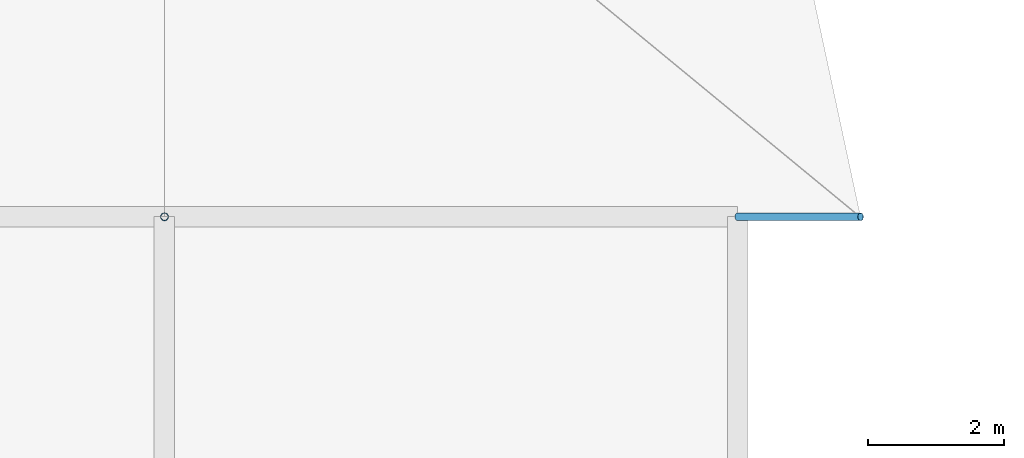
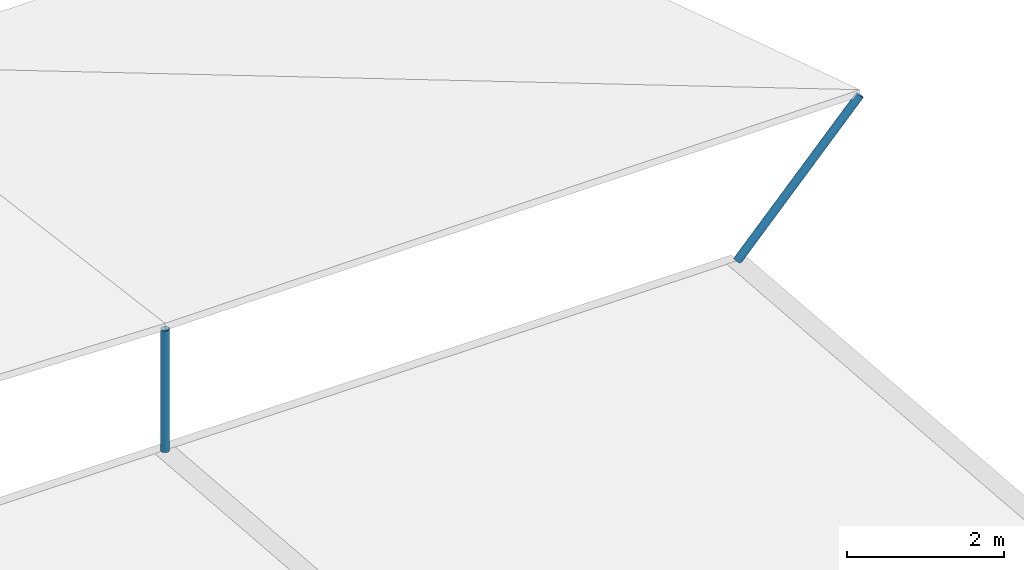
# One storey, part 35 of 37: 2 discrete accessories.
"""IFC4 building model written with IfcOpenShell, lengths in metres."""

from ifc_helpers import new_model, si_unit, direction, frame, origin, origin_2d, place, context, subcontext, project, spatial, hollow_circle, extrude, material, material_profile, profile_set, type_object, element, save


model = new_model("IFC4")

# Units and contexts
model_context = context("Model", 3, precision=1e-05, world=origin(), true_north=direction((0.0, 1.0)))
body_context = subcontext(model_context, "Body", "Model", "MODEL_VIEW")
ifc_project = project(units=[si_unit("LENGTHUNIT", "METRE"), si_unit("AREAUNIT", "SQUARE_METRE"), si_unit("VOLUMEUNIT", "CUBIC_METRE"), si_unit("PLANEANGLEUNIT", "RADIAN"), si_unit("MASSUNIT", "GRAM", prefix="KILO")], contexts=[model_context])

# Site, building, storey
site_placement = place(None, origin())
site = spatial("IfcSite", under=ifc_project, at=site_placement, CompositionType="ELEMENT")
building_placement = place(site_placement, origin())
building = spatial("IfcBuilding", under=site, at=building_placement, Name="Rain Tree Exposition and Congress Centre", CompositionType="ELEMENT")
storey_placement = place(building_placement, frame((0.0, 0.0, 25.0)))
storey = spatial("IfcBuildingStorey", under=building, at=storey_placement, Name="ROOF VAULT LOW", CompositionType="ELEMENT", Elevation=25.0)

# Discrete accessories
ifc_material = material(Name="Steel S355J2H", Category="steel")
ifc_material_profile = material_profile(ifc_material, hollow_circle(Radius=0.05712890625, WallThickness=0.00439453125, at=origin_2d()), Name="CHS 114x4.5")
ifc_profile_set = profile_set([ifc_material_profile], Name="Steel S355J2H")
discrete_accessory_type = type_object("IfcDiscreteAccessoryType", Name="Roof skin post CHS 114x4.5", PredefinedType="BRACKET", material=ifc_profile_set)
discrete_accessory_1_placement = place(storey_placement, frame((117.60009765625, 168.0, 0.4892578125), z_axis=(0.0, 0.0, 1.0), x_axis=(1.0, 0.0, 0.0)))
element("IfcDiscreteAccessory", 1, at=discrete_accessory_1_placement, inside=storey, type_object=discrete_accessory_type, Name="Roof skin post A134", PredefinedType="BRACKET", context=body_context, shape_type="SweptSolid", body=[
    extrude(hollow_circle(Radius=0.05712890625, WallThickness=0.00439453125, at=origin_2d()), origin(), (0.0, 0.0, 1.0), 1.89208984375),
])
discrete_accessory_2_placement = place(storey_placement, frame((126.0, 168.0, 0.4892578125), z_axis=(0.678849688613, 0.0, 0.734277263893), x_axis=(0.0, 1.0, 0.0)))
element("IfcDiscreteAccessory", 2, at=discrete_accessory_2_placement, inside=storey, type_object=discrete_accessory_type, Name="Roof skin post A135", PredefinedType="BRACKET", context=body_context, shape_type="SweptSolid", body=[
    extrude(hollow_circle(Radius=0.05712890625, WallThickness=0.00439453125, at=origin_2d()), origin(), (0.0, 0.0, 1.0), 2.651611328125),
])

save(model, "model.ifc")
